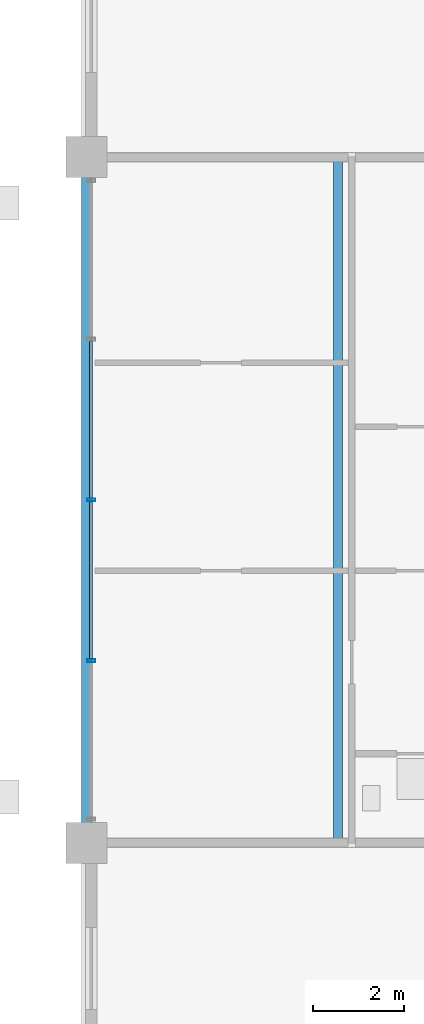
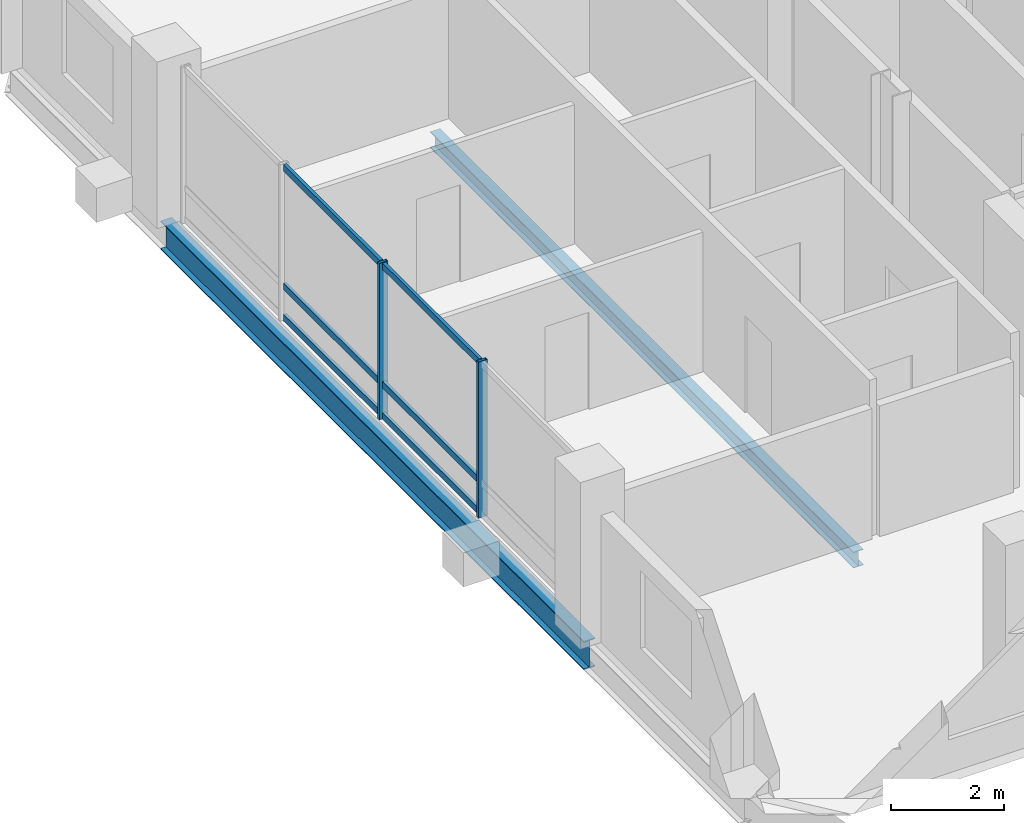
# One storey, part 6 of 21: 8 members, 2 beams, 1 element without a shape of its own.
"""IFC4 building model written with IfcOpenShell, lengths in metres."""

import ifcopenshell
import ifcopenshell.guid

model = None  # the IFC model being written
_history = None  # IfcOwnerHistory: only IFC2X3 demands one
_inside = {}  # id of a spatial element -> (the spatial element, [elements in it])
_under = {}  # id of a project, library or spatial element -> (it, [spatial elements below it])
_declared = {}  # id of a project -> (the project, [libraries it declares])
_typed = {}  # id of a type object -> (the type object, [elements of that type])
_made_of = {}  # id of a material, layer set ... -> (it, [elements and type objects made of it])


def new_model(schema):
    """Start an empty IFC model of exactly this schema.

    Asked for "IFC4X3", IfcOpenShell would pick the latest addendum, in which some entities
    have other attributes; the version numbers below select the first issue.
    IFC2X3 requires an IfcOwnerHistory on every rooted entity: one is made here for all.
    """
    global model, _history
    if schema == "IFC4X3":
        model = ifcopenshell.file(schema_version=(4, 3, 0, 0))
    else:
        model = ifcopenshell.file(schema=schema)
    _inside.clear()
    _under.clear()
    _declared.clear()
    _typed.clear()
    _made_of.clear()
    _history = None
    if model.schema == "IFC2X3":
        org = make("IfcOrganization", Name="unknown")
        user = make(
            "IfcPersonAndOrganization",
            ThePerson=make("IfcPerson", FamilyName="unknown"),
            TheOrganization=org,
        )
        app = make(
            "IfcApplication",
            ApplicationDeveloper=org,
            Version="unknown",
            ApplicationFullName="unknown",
            ApplicationIdentifier="unknown",
        )
        _history = make(
            "IfcOwnerHistory",
            OwningUser=user,
            OwningApplication=app,
            ChangeAction="ADDED",
            CreationDate=0,
        )
    return model


def make(cls, **values):
    """One entity of the class cls with the attributes given. An attribute that is None is left unset."""
    return model.create_entity(
        cls, **{name: value for name, value in values.items() if value is not None}
    )


def rooted(cls, **values):
    """An entity with a GlobalId (a new one), such as an element, a storey or a relation."""
    return make(cls, GlobalId=ifcopenshell.guid.new(), OwnerHistory=_history, **values)


def si_unit(unit_type, name, prefix=None):
    """IfcSIUnit, for example si_unit("LENGTHUNIT", "METRE", prefix="MILLI")."""
    return make("IfcSIUnit", UnitType=unit_type, Prefix=prefix, Name=name)


def assignment(units):
    """IfcUnitAssignment: the units of a project."""
    return None if units is None else make("IfcUnitAssignment", Units=units)


def point(xyz):
    """IfcCartesianPoint."""
    return None if xyz is None else make("IfcCartesianPoint", Coordinates=xyz)


def direction(xyz):
    """IfcDirection."""
    return None if xyz is None else make("IfcDirection", DirectionRatios=xyz)


def frame(location, z_axis=None, x_axis=None):
    """IfcAxis2Placement3D, a coordinate frame: its origin and axes. An axis left out is left unset."""
    return make(
        "IfcAxis2Placement3D",
        Location=point(location),
        Axis=direction(z_axis),
        RefDirection=direction(x_axis),
    )


def frame_2d(location, x_axis=None):
    """IfcAxis2Placement2D, a coordinate frame in the plane: its origin and x axis."""
    return make(
        "IfcAxis2Placement2D", Location=point(location), RefDirection=direction(x_axis)
    )


def origin():
    """The frame at (0, 0, 0) with its axes left unset."""
    return frame((0.0, 0.0, 0.0))


def origin_2d():
    """The frame at (0, 0) in the plane with its x axis left unset."""
    return frame_2d((0.0, 0.0))


def place(relative_to, where):
    """IfcLocalPlacement: puts the frame where relative to a parent placement (None: the world)."""
    return make(
        "IfcLocalPlacement", PlacementRelTo=relative_to, RelativePlacement=where
    )


def context(
    kind, dimensions, precision=None, world=None, true_north=None, identifier=None
):
    """IfcGeometricRepresentationContext, for example the 3D "Model" context."""
    return make(
        "IfcGeometricRepresentationContext",
        ContextIdentifier=identifier,
        ContextType=kind,
        CoordinateSpaceDimension=dimensions,
        Precision=precision,
        WorldCoordinateSystem=world,
        TrueNorth=true_north,
    )


def subcontext(parent, identifier, kind, view, scale=None):
    """IfcGeometricRepresentationSubContext, for example "Body" below "Model"."""
    return make(
        "IfcGeometricRepresentationSubContext",
        ContextIdentifier=identifier,
        ContextType=kind,
        ParentContext=parent,
        TargetScale=scale,
        TargetView=view,
    )


def project(units=None, contexts=None):
    """IfcProject with its units and contexts."""
    return rooted(
        "IfcProject",
        Name="project",
        RepresentationContexts=contexts,
        UnitsInContext=assignment(units),
    )


def spatial(cls, under=None, at=None, **own):
    """A site, building, storey or space (cls), placed at a placement, below another one or the project."""
    s = rooted(cls, ObjectPlacement=at, **own)
    if under is not None:
        _under.setdefault(under.id(), (under, []))[1].append(s)
    return s


def profile(cls, at=None, kind="AREA", **sizes):
    """A parametric profile (cls). Its sizes go by their IFC names, for example OverallWidth=200.0."""
    return make(cls, ProfileType=kind, Position=at, **sizes)


def hollow_rectangle(**sizes):
    """IfcRectangleHollowProfileDef."""
    return profile("IfcRectangleHollowProfileDef", **sizes)


def i_section(**sizes):
    """IfcIShapeProfileDef."""
    return profile("IfcIShapeProfileDef", **sizes)


def extrude(swept, where, along, depth):
    """IfcExtrudedAreaSolid: the profile swept, set in the frame where, extruded along a direction by depth."""
    return make(
        "IfcExtrudedAreaSolid",
        SweptArea=swept,
        Position=where,
        ExtrudedDirection=direction(along),
        Depth=depth,
    )


def shape(context_of_items, identifier, shape_type, items):
    """IfcShapeRepresentation: the items that make up one representation, for example the "Body"."""
    return make(
        "IfcShapeRepresentation",
        ContextOfItems=context_of_items,
        RepresentationIdentifier=identifier,
        RepresentationType=shape_type,
        Items=items,
    )


def material(Name=None, Category=None):
    """IfcMaterial."""
    return make("IfcMaterial", Name=Name, Category=Category)


def layer(
    of_material, thickness, ventilated=None, Name=None, Category=None, Priority=None
):
    """IfcMaterialLayer: one layer of a wall or slab, of a material (None: an air gap)."""
    return make(
        "IfcMaterialLayer",
        Material=of_material,
        LayerThickness=thickness,
        IsVentilated=ventilated,
        Name=Name,
        Category=Category,
        Priority=Priority,
    )


def layer_set(layers, Name=None):
    """IfcMaterialLayerSet."""
    return make("IfcMaterialLayerSet", MaterialLayers=layers, LayerSetName=Name)


def material_profile(
    of_material, cross_section, Name=None, Category=None, Priority=None
):
    """IfcMaterialProfile: a cross section and its material."""
    return make(
        "IfcMaterialProfile",
        Name=Name,
        Material=of_material,
        Profile=cross_section,
        Priority=Priority,
        Category=Category,
    )


def profile_set(profiles, Name=None, composite=None):
    """IfcMaterialProfileSet."""
    return make(
        "IfcMaterialProfileSet",
        Name=Name,
        MaterialProfiles=profiles,
        CompositeProfile=composite,
    )


def made_of(thing, what):
    """Note that an element or type object is made of a material, layer set ...; save() writes the relation."""
    if what is not None:
        _made_of.setdefault(what.id(), (what, []))[1].append(thing)
    return thing


def type_object(cls, material=None, **own):
    """A type object (cls), such as IfcWallType, which elements share."""
    return made_of(rooted(cls, **own), material)


def element(
    cls,
    number,
    at=None,
    inside=None,
    cuts=None,
    type_object=None,
    material=None,
    context=None,
    identifier="Body",
    shape_type=None,
    held_by="IfcProductDefinitionShape",
    body=None,
    shapes=None,
    **own,
):
    """One element of the class cls, such as IfcWall. Its Tag is "e" and its number.

    at: its placement. inside: the storey or other place that contains it. cuts: it is an
    opening in that element (IfcRelVoidsElement). A single representation is given by context,
    identifier, shape_type and body (its items); several are given by shapes. held_by: the class
    of the entity that holds the representations. save() writes the other relations.
    """
    e = rooted(cls, Tag="e%d" % number, ObjectPlacement=at, **own)
    if body is not None:
        shapes = [shape(context, identifier, shape_type, body)]
    if shapes is not None:
        e.Representation = make(held_by, Representations=shapes)
    if inside is not None:
        _inside.setdefault(inside.id(), (inside, []))[1].append(e)
    if cuts is not None:
        rooted(
            "IfcRelVoidsElement", RelatingBuildingElement=cuts, RelatedOpeningElement=e
        )
    if type_object is not None:
        _typed.setdefault(type_object.id(), (type_object, []))[1].append(e)
    return made_of(e, material)


def aggregate(whole, parts):
    """IfcRelAggregates: a whole, such as a stair, and the parts it consists of."""
    return rooted("IfcRelAggregates", RelatingObject=whole, RelatedObjects=parts)


def save(model, path):
    """Write the relations noted so far, then the file.

    IfcRelAggregates (storeys below a building ...), IfcRelContainedInSpatialStructure (elements
    in a storey), IfcRelDefinesByType, IfcRelAssociatesMaterial and IfcRelDeclares: one each for
    every whole, place, type object, material and project.
    """
    for whole, parts in _under.values():
        aggregate(whole, parts)
    for where, things in _inside.values():
        rooted(
            "IfcRelContainedInSpatialStructure",
            RelatedElements=things,
            RelatingStructure=where,
        )
    for kind, things in _typed.values():
        rooted("IfcRelDefinesByType", RelatedObjects=things, RelatingType=kind)
    for what, things in _made_of.values():
        rooted("IfcRelAssociatesMaterial", RelatedObjects=things, RelatingMaterial=what)
    for by, libraries in _declared.values():
        rooted("IfcRelDeclares", RelatingContext=by, RelatedDefinitions=libraries)
    model.write(path)


model = new_model("IFC4")

# Units and contexts
model_context = context("Model", 3, precision=1e-05, world=origin(), true_north=direction((0.0, 1.0)))
body_context = subcontext(model_context, "Body", "Model", "MODEL_VIEW")
ifc_project = project(units=[si_unit("LENGTHUNIT", "METRE"), si_unit("AREAUNIT", "SQUARE_METRE"), si_unit("VOLUMEUNIT", "CUBIC_METRE"), si_unit("PLANEANGLEUNIT", "RADIAN"), si_unit("MASSUNIT", "GRAM", prefix="KILO")], contexts=[model_context])

# Site, building, storey
site_placement = place(None, origin())
site = spatial("IfcSite", under=ifc_project, at=site_placement, CompositionType="ELEMENT")
building_placement = place(site_placement, origin())
building = spatial("IfcBuilding", under=site, at=building_placement, Name="Barlavira Tower and Art Museum", CompositionType="ELEMENT")
storey_placement = place(building_placement, frame((0.0, 0.0, 254.699951171875)))
storey = spatial("IfcBuildingStorey", under=building, at=storey_placement, Name="L66", CompositionType="ELEMENT", Elevation=254.699951171875)

# Curtain wall, members
ifc_material_1 = material(Name="Low-iron coastal laminated glass", Category="glass")
ifc_layer = layer(ifc_material_1, 0.2099609375, Name="Low-iron coastal laminated glass")
ifc_layer_set = layer_set([ifc_layer], Name="Low-iron coastal laminated glass")
curtain_wall_type = type_object("IfcCurtainWallType", Name="Pale-Metal Unitised Curtain Wall Zone 4", PredefinedType="NOTDEFINED", material=ifc_layer_set)
curtain_wall_placement = place(storey_placement, origin())
curtain_wall = element("IfcCurtainWall", 1, at=curtain_wall_placement, inside=storey, type_object=curtain_wall_type, Name="L66 Curtain Wall CW4-L66-W-B3", PredefinedType="NOTDEFINED")
ifc_material_2 = material(Name="Pale anodised aluminium", Category="aluminium")
ifc_material_profile_1 = material_profile(ifc_material_2, hollow_rectangle(XDim=0.06494140625, YDim=0.179931640625, WallThickness=0.00390625, at=origin_2d()), Name="ALU-MULL 65x180x4")
ifc_profile_set_1 = profile_set([ifc_material_profile_1], Name="Pale anodised aluminium")
member_type_1 = type_object("IfcMemberType", Name="Curtain Wall Pale-Metal Mullion 65x180", PredefinedType="MULLION", material=ifc_profile_set_1)
member_1_placement = place(storey_placement, frame((-16.89990234375, 0.0, 0.0), z_axis=(0.0, 0.0, 1.0), x_axis=(0.0, -1.0, 0.0)))
member_1 = element("IfcMember", 2, at=member_1_placement, type_object=member_type_1, Name="CW4-L66-W-B3 Mullion 2", PredefinedType="MULLION", context=body_context, shape_type="SweptSolid", body=[
    extrude(hollow_rectangle(XDim=0.06494140625, YDim=0.179931640625, WallThickness=0.00390625, at=origin_2d()), origin(), (0.0, 0.0, 1.0), 3.380126953125),
])
member_2_placement = place(storey_placement, frame((-16.89990234375, -3.514892578125, 0.0), z_axis=(0.0, 0.0, 1.0), x_axis=(0.0, -1.0, 0.0)))
member_2 = element("IfcMember", 3, at=member_2_placement, type_object=member_type_1, Name="CW4-L66-W-B3 Mullion 3", PredefinedType="MULLION", context=body_context, shape_type="SweptSolid", body=[
    extrude(hollow_rectangle(XDim=0.06494140625, YDim=0.179931640625, WallThickness=0.00390625, at=origin_2d()), origin(), (0.0, 0.0, 1.0), 3.380126953125),
])
ifc_material_profile_2 = material_profile(ifc_material_2, hollow_rectangle(XDim=0.06494140625, YDim=0.139892578125, WallThickness=0.00390625, at=origin_2d()), Name="ALU-TRAN 65x140x4")
ifc_profile_set_2 = profile_set([ifc_material_profile_2], Name="Pale anodised aluminium")
member_type_2 = type_object("IfcMemberType", Name="Curtain Wall Pale-Metal Transom 65x140", PredefinedType="USERDEFINED", material=ifc_profile_set_2)
member_3_placement = place(storey_placement, frame((-16.89990234375, 3.469970703125, 0.070068359375), z_axis=(0.0, -1.0, 0.0), x_axis=(1.0, 0.0, 0.0)))
member_3 = element("IfcMember", 4, at=member_3_placement, type_object=member_type_2, Name="CW4-L66-W-B3 Transom 1.1", ObjectType="TRANSOM", PredefinedType="USERDEFINED", context=body_context, shape_type="SweptSolid", body=[
    extrude(hollow_rectangle(XDim=0.06494140625, YDim=0.139892578125, WallThickness=0.00390625, at=origin_2d()), origin(), (0.0, 0.0, 1.0), 3.425048828125),
])
member_4_placement = place(storey_placement, frame((-16.89990234375, 3.469970703125, 0.744140625), z_axis=(0.0, -1.0, 0.0), x_axis=(1.0, 0.0, 0.0)))
member_4 = element("IfcMember", 5, at=member_4_placement, type_object=member_type_2, Name="CW4-L66-W-B3 Transom 1.2", ObjectType="TRANSOM", PredefinedType="USERDEFINED", context=body_context, shape_type="SweptSolid", body=[
    extrude(hollow_rectangle(XDim=0.06494140625, YDim=0.139892578125, WallThickness=0.00390625, at=origin_2d()), origin(), (0.0, 0.0, 1.0), 3.425048828125),
])
member_5_placement = place(storey_placement, frame((-16.89990234375, 3.469970703125, 3.31005859375), z_axis=(0.0, -1.0, 0.0), x_axis=(1.0, 0.0, 0.0)))
member_5 = element("IfcMember", 6, at=member_5_placement, type_object=member_type_2, Name="CW4-L66-W-B3 Transom 1.3", ObjectType="TRANSOM", PredefinedType="USERDEFINED", context=body_context, shape_type="SweptSolid", body=[
    extrude(hollow_rectangle(XDim=0.06494140625, YDim=0.139892578125, WallThickness=0.00390625, at=origin_2d()), origin(), (0.0, 0.0, 1.0), 3.425048828125),
])
member_6_placement = place(storey_placement, frame((-16.89990234375, -0.044921875, 0.070068359375), z_axis=(0.0, -1.0, 0.0), x_axis=(1.0, 0.0, 0.0)))
member_6 = element("IfcMember", 7, at=member_6_placement, type_object=member_type_2, Name="CW4-L66-W-B3 Transom 2.1", ObjectType="TRANSOM", PredefinedType="USERDEFINED", context=body_context, shape_type="SweptSolid", body=[
    extrude(hollow_rectangle(XDim=0.06494140625, YDim=0.139892578125, WallThickness=0.00390625, at=origin_2d()), origin(), (0.0, 0.0, 1.0), 3.425048828125),
])
member_7_placement = place(storey_placement, frame((-16.89990234375, -0.044921875, 0.744140625), z_axis=(0.0, -1.0, 0.0), x_axis=(1.0, 0.0, 0.0)))
member_7 = element("IfcMember", 8, at=member_7_placement, type_object=member_type_2, Name="CW4-L66-W-B3 Transom 2.2", ObjectType="TRANSOM", PredefinedType="USERDEFINED", context=body_context, shape_type="SweptSolid", body=[
    extrude(hollow_rectangle(XDim=0.06494140625, YDim=0.139892578125, WallThickness=0.00390625, at=origin_2d()), origin(), (0.0, 0.0, 1.0), 3.425048828125),
])
member_8_placement = place(storey_placement, frame((-16.89990234375, -0.044921875, 3.31005859375), z_axis=(0.0, -1.0, 0.0), x_axis=(1.0, 0.0, 0.0)))
member_8 = element("IfcMember", 9, at=member_8_placement, type_object=member_type_2, Name="CW4-L66-W-B3 Transom 2.3", ObjectType="TRANSOM", PredefinedType="USERDEFINED", context=body_context, shape_type="SweptSolid", body=[
    extrude(hollow_rectangle(XDim=0.06494140625, YDim=0.139892578125, WallThickness=0.00390625, at=origin_2d()), origin(), (0.0, 0.0, 1.0), 3.425048828125),
])
aggregate(curtain_wall, [member_1, member_2, member_3, member_4, member_5, member_6, member_7, member_8])

# Beams
ifc_material_3 = material(Name="Steel S355", Category="steel")
ifc_material_profile_3 = material_profile(ifc_material_3, i_section(OverallWidth=0.22998046875, OverallDepth=0.616943359375, WebThickness=0.01318359375, FlangeThickness=0.022216796875, at=origin_2d()), Name="W610x140.0")
ifc_profile_set_3 = profile_set([ifc_material_profile_3], Name="Steel S355")
beam_type_1 = type_object("IfcBeamType", Name="Upper Shaft Spandrel Edge Beam W610x140 Steel S355", PredefinedType="SPANDREL", material=ifc_profile_set_3)
beam_1_placement = place(storey_placement, frame((-17.0, -7.5, -0.528564453125), z_axis=(0.0, 1.0, 0.0), x_axis=(-1.0, 0.0, 0.0)))
element("IfcBeam", 10, at=beam_1_placement, inside=storey, type_object=beam_type_1, Name="L66 Spandrel 14", PredefinedType="SPANDREL", context=body_context, shape_type="SweptSolid", body=[
    extrude(i_section(OverallWidth=0.22998046875, OverallDepth=0.616943359375, WebThickness=0.01318359375, FlangeThickness=0.022216796875, at=origin_2d()), origin(), (0.0, 0.0, 1.0), 15.0),
])
ifc_material_profile_4 = material_profile(ifc_material_3, i_section(OverallWidth=0.202880859375, OverallDepth=0.346923828125, WebThickness=0.0078125, FlangeThickness=0.013427734375, at=origin_2d()), Name="W360x64.0")
ifc_profile_set_4 = profile_set([ifc_material_profile_4], Name="Steel S355")
beam_type_2 = type_object("IfcBeamType", Name="Zone 4 Composite Floor Joist W360x64 Steel S355", PredefinedType="JOIST", material=ifc_profile_set_4)
beam_2_placement = place(storey_placement, frame((-11.5, -7.5, -0.3935546875), z_axis=(0.0, 1.0, 0.0), x_axis=(-1.0, 0.0, 0.0)))
element("IfcBeam", 11, at=beam_2_placement, inside=storey, type_object=beam_type_2, Name="L66 Joist W1", PredefinedType="JOIST", context=body_context, shape_type="SweptSolid", body=[
    extrude(i_section(OverallWidth=0.202880859375, OverallDepth=0.346923828125, WebThickness=0.0078125, FlangeThickness=0.013427734375, at=origin_2d()), origin(), (0.0, 0.0, 1.0), 15.0),
])

save(model, "model.ifc")
